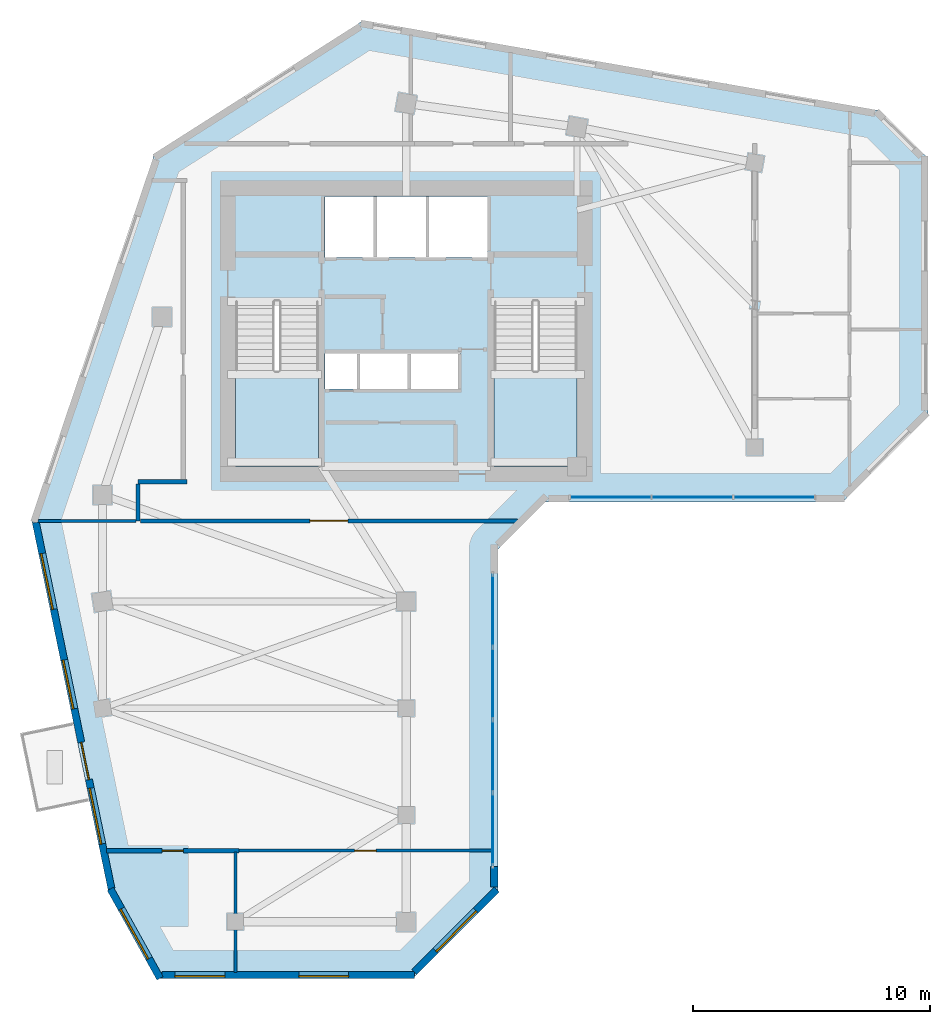
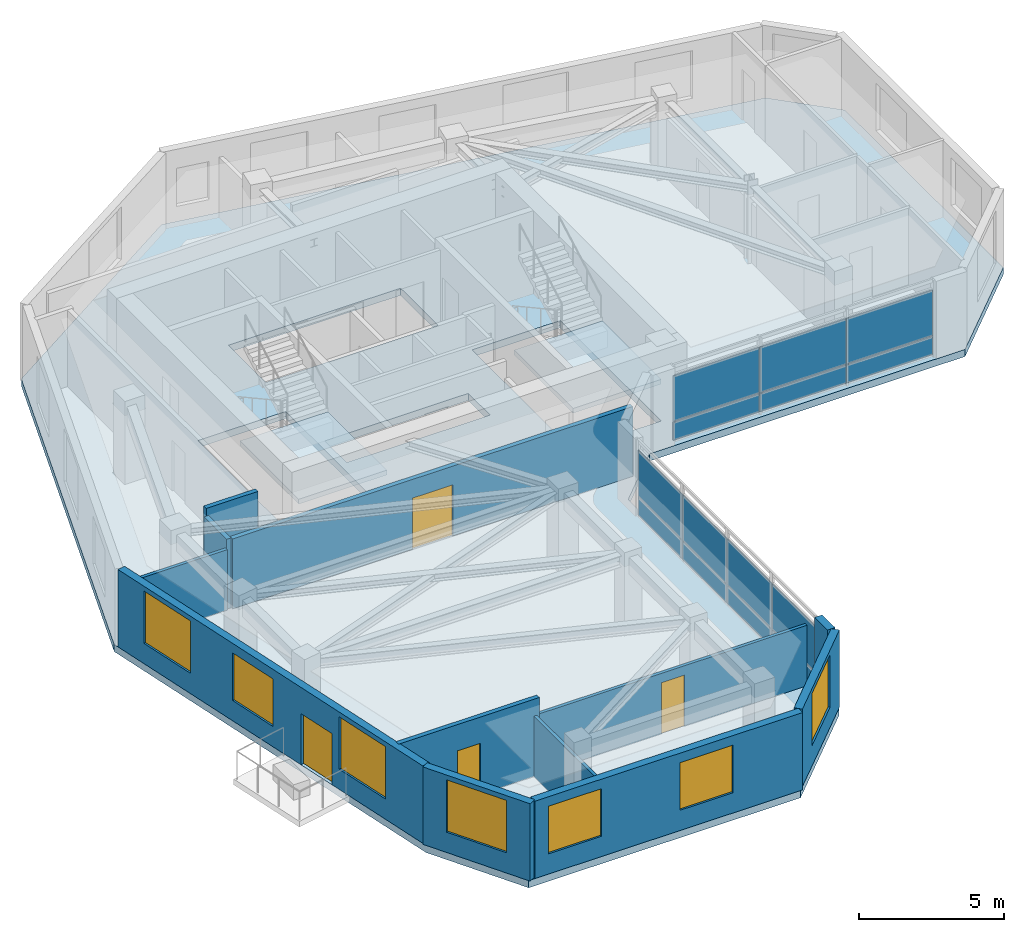
# One storey, part 3 of 9: 14 plates, 12 walls, 7 windows, 4 doors, 3 slabs, 11 openings, 4 elements without a shape of their own.
"""IFC4 building model written with IfcOpenShell, lengths in metres."""

from ifc_helpers import new_model, si_unit, direction, frame, frame_2d, origin, place, context, subcontext, project, spatial, polyline, rectangle, outline, extrude, source, transform, mapped, material, layer, layer_set, type_object, element, fill, aggregate, save


model = new_model("IFC4")

# Units and contexts
model_context = context("Model", 3, precision=1e-05, world=origin(), true_north=direction((0.0, 1.0)))
body_context = subcontext(model_context, "Body", "Model", "MODEL_VIEW")
ifc_project = project(units=[si_unit("LENGTHUNIT", "METRE"), si_unit("AREAUNIT", "SQUARE_METRE"), si_unit("VOLUMEUNIT", "CUBIC_METRE"), si_unit("PLANEANGLEUNIT", "RADIAN"), si_unit("MASSUNIT", "GRAM", prefix="KILO")], contexts=[model_context])

# Site, building, storey
site_placement = place(None, origin())
site = spatial("IfcSite", under=ifc_project, at=site_placement, CompositionType="ELEMENT")
building_placement = place(site_placement, origin())
building = spatial("IfcBuilding", under=site, at=building_placement, Name="Calvemar Wedge Station Tower", CompositionType="ELEMENT")
storey_placement = place(building_placement, frame((0.0, 0.0, 211.39990234375)))
storey = spatial("IfcBuildingStorey", under=building, at=storey_placement, Name="L53", CompositionType="ELEMENT", Elevation=211.39990234375)

# Curtain wall, plates
ifc_material_1 = material(Name="Anodised aluminium 6063-T6", Category="aluminium")
curtain_wall_type = type_object("IfcCurtainWallType", Name="CW3", PredefinedType="NOTDEFINED", material=ifc_material_1)
curtain_wall_1_placement = place(storey_placement, origin())
curtain_wall_1 = element("IfcCurtainWall", 1, at=curtain_wall_1_placement, inside=storey, type_object=curtain_wall_type, Name="Storey L53 CW3 Recessed Unitised Curtain Wall 4", PredefinedType="NOTDEFINED")
ifc_material_2 = material(Name="Low-E laminated insulated glass", Category="glass")
ifc_layer_1 = layer(ifc_material_2, 0.028076171875)
ifc_layer_set_1 = layer_set([ifc_layer_1], Name="Low-E laminated insulated glass")
plate_type_1 = type_object("IfcPlateType", Name="CW3-GLZ", PredefinedType="CURTAIN_PANEL", material=ifc_layer_set_1)
plate_1_placement = place(storey_placement, frame((27.4541015625, 17.380126953125, 0.8701171875), z_axis=(0.0, 0.0, 1.0), x_axis=(0.0, 1.0, 0.0)))
plate_1 = element("IfcPlate", 2, at=plate_1_placement, type_object=plate_type_1, Name="CW3 vision glass panel 1", PredefinedType="CURTAIN_PANEL", context=body_context, shape_type="SweptSolid", body=[
    extrude(rectangle(XDim=3.036865234375, YDim=0.028076171875, at=frame_2d((1.5185546875, 0.0))), origin(), (0.0, 0.0, 1.0), 1.909912109375),
])
plate_2_placement = place(storey_placement, frame((27.4541015625, 20.453125, 0.8701171875), z_axis=(0.0, 0.0, 1.0), x_axis=(0.0, 1.0, 0.0)))
plate_2 = element("IfcPlate", 3, at=plate_2_placement, type_object=plate_type_1, Name="CW3 vision glass panel 2", PredefinedType="CURTAIN_PANEL", context=body_context, shape_type="SweptSolid", body=[
    extrude(rectangle(XDim=3.036865234375, YDim=0.028076171875, at=frame_2d((1.5185546875, 0.0))), origin(), (0.0, 0.0, 1.0), 1.909912109375),
])
plate_3_placement = place(storey_placement, frame((27.4541015625, 23.526123046875, 0.8701171875), z_axis=(0.0, 0.0, 1.0), x_axis=(0.0, 1.0, 0.0)))
plate_3 = element("IfcPlate", 4, at=plate_3_placement, type_object=plate_type_1, Name="CW3 vision glass panel 3", PredefinedType="CURTAIN_PANEL", context=body_context, shape_type="SweptSolid", body=[
    extrude(rectangle(XDim=3.036865234375, YDim=0.028076171875, at=frame_2d((1.5185546875, 0.0))), origin(), (0.0, 0.0, 1.0), 1.909912109375),
])
plate_4_placement = place(storey_placement, frame((27.4541015625, 26.59912109375, 0.8701171875), z_axis=(0.0, 0.0, 1.0), x_axis=(0.0, 1.0, 0.0)))
plate_4 = element("IfcPlate", 5, at=plate_4_placement, type_object=plate_type_1, Name="CW3 vision glass panel 4", PredefinedType="CURTAIN_PANEL", context=body_context, shape_type="SweptSolid", body=[
    extrude(rectangle(XDim=3.036865234375, YDim=0.028076171875, at=frame_2d((1.5185546875, 0.0))), origin(), (0.0, 0.0, 1.0), 1.909912109375),
])

curtain_wall_2_placement = place(storey_placement, origin())
curtain_wall_2 = element("IfcCurtainWall", 6, at=curtain_wall_2_placement, inside=storey, type_object=curtain_wall_type, Name="Storey L53 CW3 Recessed Unitised Curtain Wall 6", PredefinedType="NOTDEFINED")
plate_5_placement = place(storey_placement, frame((30.719970703125, 32.902099609375, 0.8701171875), z_axis=(0.0, 0.0, 1.0), x_axis=(1.0, 0.0, 0.0)))
plate_5 = element("IfcPlate", 7, at=plate_5_placement, type_object=plate_type_1, Name="CW3 vision glass panel 1", PredefinedType="CURTAIN_PANEL", context=body_context, shape_type="SweptSolid", body=[
    extrude(rectangle(XDim=3.4091796875, YDim=0.028076171875, at=frame_2d((1.70458984375, 0.0))), origin(), (0.0, 0.0, 1.0), 1.909912109375),
])
plate_6_placement = place(storey_placement, frame((34.165283203125, 32.902099609375, 0.8701171875), z_axis=(0.0, 0.0, 1.0), x_axis=(1.0, 0.0, 0.0)))
plate_6 = element("IfcPlate", 8, at=plate_6_placement, type_object=plate_type_1, Name="CW3 vision glass panel 2", PredefinedType="CURTAIN_PANEL", context=body_context, shape_type="SweptSolid", body=[
    extrude(rectangle(XDim=3.409423828125, YDim=0.028076171875, at=frame_2d((1.70458984375, 0.0))), origin(), (0.0, 0.0, 1.0), 1.909912109375),
])
plate_7_placement = place(storey_placement, frame((37.610595703125, 32.902099609375, 0.8701171875), z_axis=(0.0, 0.0, 1.0), x_axis=(1.0, 0.0, 0.0)))
plate_7 = element("IfcPlate", 9, at=plate_7_placement, type_object=plate_type_1, Name="CW3 vision glass panel 3", PredefinedType="CURTAIN_PANEL", context=body_context, shape_type="SweptSolid", body=[
    extrude(rectangle(XDim=3.409423828125, YDim=0.028076171875, at=frame_2d((1.70458984375, 0.0))), origin(), (0.0, 0.0, 1.0), 1.909912109375),
])

# Plate
ifc_material_3 = material(Name="Oxidized bronze aluminium spandrel panel 5005-H24", Category="aluminium")
ifc_layer_2 = layer(ifc_material_3, 0.0400390625)
ifc_layer_set_2 = layer_set([ifc_layer_2], Name="Oxidized bronze aluminium spandrel panel 5005-H24")
plate_type_2 = type_object("IfcPlateType", Name="CW3-SPD", PredefinedType="SHEET", material=ifc_layer_set_2)
plate_8_placement = place(storey_placement, frame((27.4541015625, 17.380126953125, 0.080078125), z_axis=(0.0, 0.0, 1.0), x_axis=(0.0, 1.0, 0.0)))
plate_8 = element("IfcPlate", 10, at=plate_8_placement, type_object=plate_type_2, Name="CW3 bronze spandrel panel 1", PredefinedType="SHEET", context=body_context, shape_type="SweptSolid", body=[
    extrude(rectangle(XDim=3.036865234375, YDim=0.0400390625, at=frame_2d((1.5185546875, 0.0))), origin(), (0.0, 0.0, 1.0), 0.75),
])

plate_9_placement = place(storey_placement, frame((27.4541015625, 20.453125, 0.080078125), z_axis=(0.0, 0.0, 1.0), x_axis=(0.0, 1.0, 0.0)))
plate_9 = element("IfcPlate", 11, at=plate_9_placement, type_object=plate_type_2, Name="CW3 bronze spandrel panel 2", PredefinedType="SHEET", context=body_context, shape_type="SweptSolid", body=[
    extrude(rectangle(XDim=3.036865234375, YDim=0.0400390625, at=frame_2d((1.5185546875, 0.0))), origin(), (0.0, 0.0, 1.0), 0.75),
])

plate_10_placement = place(storey_placement, frame((27.4541015625, 23.526123046875, 0.080078125), z_axis=(0.0, 0.0, 1.0), x_axis=(0.0, 1.0, 0.0)))
plate_10 = element("IfcPlate", 12, at=plate_10_placement, type_object=plate_type_2, Name="CW3 bronze spandrel panel 3", PredefinedType="SHEET", context=body_context, shape_type="SweptSolid", body=[
    extrude(rectangle(XDim=3.036865234375, YDim=0.0400390625, at=frame_2d((1.5185546875, 0.0))), origin(), (0.0, 0.0, 1.0), 0.75),
])

plate_11_placement = place(storey_placement, frame((27.4541015625, 26.59912109375, 0.080078125), z_axis=(0.0, 0.0, 1.0), x_axis=(0.0, 1.0, 0.0)))
plate_11 = element("IfcPlate", 13, at=plate_11_placement, type_object=plate_type_2, Name="CW3 bronze spandrel panel 4", PredefinedType="SHEET", context=body_context, shape_type="SweptSolid", body=[
    extrude(rectangle(XDim=3.036865234375, YDim=0.0400390625, at=frame_2d((1.5185546875, 0.0))), origin(), (0.0, 0.0, 1.0), 0.75),
])

aggregate(curtain_wall_1, [plate_8, plate_1, plate_9, plate_2, plate_10, plate_3, plate_11, plate_4])

plate_12_placement = place(storey_placement, frame((30.719970703125, 32.902099609375, 0.080078125), z_axis=(0.0, 0.0, 1.0), x_axis=(1.0, 0.0, 0.0)))
plate_12 = element("IfcPlate", 14, at=plate_12_placement, type_object=plate_type_2, Name="CW3 bronze spandrel panel 1", PredefinedType="SHEET", context=body_context, shape_type="SweptSolid", body=[
    extrude(rectangle(XDim=3.4091796875, YDim=0.0400390625, at=frame_2d((1.70458984375, 0.0))), origin(), (0.0, 0.0, 1.0), 0.75),
])

plate_13_placement = place(storey_placement, frame((34.165283203125, 32.902099609375, 0.080078125), z_axis=(0.0, 0.0, 1.0), x_axis=(1.0, 0.0, 0.0)))
plate_13 = element("IfcPlate", 15, at=plate_13_placement, type_object=plate_type_2, Name="CW3 bronze spandrel panel 2", PredefinedType="SHEET", context=body_context, shape_type="SweptSolid", body=[
    extrude(rectangle(XDim=3.409423828125, YDim=0.0400390625, at=frame_2d((1.70458984375, 0.0))), origin(), (0.0, 0.0, 1.0), 0.75),
])

plate_14_placement = place(storey_placement, frame((37.610595703125, 32.902099609375, 0.080078125), z_axis=(0.0, 0.0, 1.0), x_axis=(1.0, 0.0, 0.0)))
plate_14 = element("IfcPlate", 16, at=plate_14_placement, type_object=plate_type_2, Name="CW3 bronze spandrel panel 3", PredefinedType="SHEET", context=body_context, shape_type="SweptSolid", body=[
    extrude(rectangle(XDim=3.409423828125, YDim=0.0400390625, at=frame_2d((1.70458984375, 0.0))), origin(), (0.0, 0.0, 1.0), 0.75),
])

aggregate(curtain_wall_2, [plate_12, plate_5, plate_13, plate_6, plate_14, plate_7])

# Slab
ifc_material_4 = material(Name="Concrete C50", Category="concrete")
ifc_layer_3 = layer(ifc_material_4, 0.300048828125)
ifc_layer_set_3 = layer_set([ifc_layer_3], Name="Concrete C50")
slab_type_1 = type_object("IfcSlabType", Name="SL-REF-300", PredefinedType="FLOOR", material=ifc_layer_set_3)
slab_1_placement = place(storey_placement, frame((0.0, 0.0, -0.2998046875)))
element("IfcSlab", 17, at=slab_1_placement, inside=storey, type_object=slab_type_1, Name="Storey L53 Structural Floor Slab", PredefinedType="FLOOR", context=body_context, shape_type="SweptSolid", body=[
    extrude(outline(polyline([(8.0, 32.0), (11.263916015625, 16.199951171875), (13.263916015625, 12.60009765625), (24.06396484375, 12.60009765625), (27.6640625, 16.199951171875), (27.6640625, 30.69189453125), (29.6640625, 32.69189453125), (42.199951171875, 32.69189453125), (45.800048828125, 36.2919921875), (45.800048828125, 47.19189453125), (43.800048828125, 49.19189453125), (22.0, 53.0), (13.199951171875, 47.39990234375), (8.0, 32.0)]), holes=[polyline([(20.10009765625, 34.199951171875), (20.10009765625, 41.14990234375), (16.60009765625, 41.14990234375), (16.60009765625, 34.199951171875), (20.10009765625, 34.199951171875)]), polyline([(27.5, 34.199951171875), (31.0, 34.199951171875), (31.0, 41.14990234375), (27.5, 41.14990234375), (27.5, 34.199951171875)]), polyline([(21.800048828125, 37.449951171875), (23.929931640625, 37.449951171875), (23.93994140625, 37.449951171875), (26.080078125, 37.449951171875), (26.080078125, 38.949951171875), (23.93994140625, 38.949951171875), (23.929931640625, 38.949951171875), (21.800048828125, 38.949951171875), (21.7900390625, 38.949951171875), (20.3798828125, 38.949951171875), (20.3798828125, 37.449951171875), (21.7900390625, 37.449951171875), (21.800048828125, 37.449951171875)]), polyline([(27.219970703125, 43.0), (27.219970703125, 45.580078125), (20.3798828125, 45.580078125), (20.3798828125, 43.0), (27.219970703125, 43.0)])]), origin(), (0.0, 0.0, 1.0), 0.2998046875),
])

# Stair, slab
ifc_material_5 = material(Name="Concrete C45", Category="concrete")
stair_type = type_object("IfcStairType", Name="ST-TYPE-3500", PredefinedType="HALF_TURN_STAIR", material=ifc_material_5)
stair_1_placement = place(storey_placement, origin())
stair_1 = element("IfcStair", 18, at=stair_1_placement, inside=storey, type_object=stair_type, Name="L53 Pressurized Core Exit Stair ST-C1", PredefinedType="HALF_TURN_STAIR")
ifc_layer_4 = layer(ifc_material_5, 0.199951171875)
ifc_layer_set_4 = layer_set([ifc_layer_4], Name="Concrete C45")
slab_type_2 = type_object("IfcSlabType", Name="SL-STAIR-LND-200", PredefinedType="LANDING", material=ifc_layer_set_4)
slab_2_placement = place(storey_placement, frame((0.0, 0.0, 1.550048828125)))
slab_2 = element("IfcSlab", 19, at=slab_2_placement, type_object=slab_type_2, Name="ST-C1 landing 1", PredefinedType="LANDING", context=body_context, shape_type="SweptSolid", body=[
    extrude(outline(polyline([(16.60009765625, 38.25), (16.60009765625, 34.199951171875), (20.10009765625, 34.199951171875), (20.10009765625, 38.25), (16.60009765625, 38.25)])), origin(), (0.0, 0.0, 1.0), 0.199951171875),
])
aggregate(stair_1, [slab_2])

stair_2_placement = place(storey_placement, origin())
stair_2 = element("IfcStair", 20, at=stair_2_placement, inside=storey, type_object=stair_type, Name="L53 Pressurized Core Exit Stair ST-C2", PredefinedType="HALF_TURN_STAIR")
slab_3_placement = place(storey_placement, frame((0.0, 0.0, 1.550048828125)))
slab_3 = element("IfcSlab", 21, at=slab_3_placement, type_object=slab_type_2, Name="ST-C2 landing 1", PredefinedType="LANDING", context=body_context, shape_type="SweptSolid", body=[
    extrude(outline(polyline([(27.5, 38.25), (27.5, 34.199951171875), (31.0, 34.199951171875), (31.0, 38.25), (27.5, 38.25)])), origin(), (0.0, 0.0, 1.0), 0.199951171875),
])
aggregate(stair_2, [slab_3])

# Walls
ifc_material_6 = material(Name="Double-stud fire-rated corridor partition")
ifc_layer_5 = layer(ifc_material_6, 0.179931640625)
ifc_layer_set_5 = layer_set([ifc_layer_5], Name="Double-stud fire-rated corridor partition")
wall_type_1 = type_object("IfcWallType", Name="W-CORR-180", PredefinedType="PARTITIONING", material=ifc_layer_set_5)
wall_1_placement = place(storey_placement, frame((12.5, 33.550048828125, 0.0), z_axis=(0.0, 0.0, 1.0), x_axis=(1.0, 0.0, 0.0)))
element("IfcWall", 22, at=wall_1_placement, inside=storey, type_object=wall_type_1, Name="Storey L53 Interior Partition WL-L53-006", PredefinedType="PARTITIONING", context=body_context, shape_type="SweptSolid", body=[
    extrude(rectangle(XDim=2.06005859375, YDim=0.179931640625, at=frame_2d((1.030029296875, 0.0))), origin(), (0.0, 0.0, 1.0), 3.25),
])
wall_2_placement = place(storey_placement, frame((12.5, 31.89990234375, 0.0), z_axis=(0.0, 0.0, 1.0), x_axis=(0.0, 1.0, 0.0)))
element("IfcWall", 23, at=wall_2_placement, inside=storey, type_object=wall_type_1, Name="Storey L53 Interior Partition WL-L53-007", PredefinedType="PARTITIONING", context=body_context, shape_type="SweptSolid", body=[
    extrude(rectangle(XDim=1.55615234375, YDim=0.179931640625, at=frame_2d((0.778076171875, 0.0))), origin(), (0.0, 0.0, 1.0), 2.93408203125),
])

# Wall, opening, door
wall_3_placement = place(storey_placement, frame((28.497314453125, 31.89990234375, 0.0), z_axis=(0.0, 0.0, 1.0), x_axis=(-1.0, 0.0, 0.0)))
wall_3 = element("IfcWall", 24, at=wall_3_placement, inside=storey, type_object=wall_type_1, Name="Storey L53 Interior Partition WL-L53-008", PredefinedType="PARTITIONING", context=body_context, shape_type="SweptSolid", body=[
    extrude(rectangle(XDim=15.9033203125, YDim=0.179931640625, at=frame_2d((7.95166015625, 0.0))), origin(), (0.0, 0.0, 1.0), 2.93408203125),
])
shared_shape_1 = source(origin(), body_context, "Body", "SweptSolid", [
    extrude(rectangle(XDim=1.60009765625, YDim=2.14990234375, at=frame_2d((0.800048828125, 1.074951171875))), frame((0.0, 0.10009765625, 0.0), z_axis=(0.0, -1.0, 0.0), x_axis=(1.0, 0.0, 0.0)), (0.0, 0.0, 1.0), 0.199951171875),
])
opening_1_placement = place(wall_3_placement, frame((7.151611328125, 0.0, 0.0)))
opening_1 = element("IfcOpeningElement", 25, at=opening_1_placement, cuts=wall_3, Name="Opening DD-160", PredefinedType="OPENING", context=body_context, shape_type="MappedRepresentation", body=[
    mapped(shared_shape_1, transform((0.0, 0.0, 0.0), scale=1.0)),
])
ifc_material_7 = material(Name="Double-leaf fire-rated lobby door EI 60")
door_type_1 = type_object("IfcDoorType", Name="DR-DBL-1600", OperationType="DOUBLE_DOOR_SINGLE_SWING", PredefinedType="DOOR", material=ifc_material_7)
shared_shape_2 = source(origin(), body_context, "Body", "SweptSolid", [
    extrude(rectangle(XDim=1.60009765625, YDim=2.14990234375, at=frame_2d((0.800048828125, 1.074951171875))), frame((0.0, 0.02490234375, 0.0), z_axis=(0.0, -1.0, 0.0), x_axis=(1.0, 0.0, 0.0)), (0.0, 0.0, 1.0), 0.050048828125),
])
door_1_placement = place(opening_1_placement, origin())
door_1 = element("IfcDoor", 26, at=door_1_placement, inside=storey, type_object=door_type_1, Name="L53 Resident Banquet Dining Hall Door", OperationType="SINGLE_SWING_LEFT", OverallHeight=2.14990234375, OverallWidth=1.60009765625, PredefinedType="DOOR", context=body_context, shape_type="MappedRepresentation", body=[
    mapped(shared_shape_2, transform((0.0, 0.0, 0.0), scale=1.0)),
])
fill(opening_1, door_1)

wall_4_placement = place(storey_placement, frame((16.760009765625, 18.0, 0.0), z_axis=(0.0, 0.0, 1.0), x_axis=(-1.0, 0.0, 0.0)))
wall_4 = element("IfcWall", 27, at=wall_4_placement, inside=storey, type_object=wall_type_1, Name="Storey L53 Interior Partition WL-L53-029", PredefinedType="PARTITIONING", context=body_context, shape_type="SweptSolid", body=[
    extrude(rectangle(XDim=5.597412109375, YDim=0.179931640625, at=frame_2d((2.798828125, 0.0))), origin(), (0.0, 0.0, 1.0), 3.25),
])
shared_shape_3 = source(origin(), body_context, "Body", "SweptSolid", [
    extrude(rectangle(XDim=0.89990234375, YDim=2.14990234375, at=frame_2d((0.449951171875, 1.074951171875))), frame((0.0, 0.10009765625, 0.0), z_axis=(0.0, -1.0, 0.0), x_axis=(1.0, 0.0, 0.0)), (0.0, 0.0, 1.0), 0.199951171875),
])
opening_2_placement = place(wall_4_placement, frame((2.3486328125, 0.0, 0.0)))
opening_2 = element("IfcOpeningElement", 28, at=opening_2_placement, cuts=wall_4, Name="Opening FD-60", PredefinedType="OPENING", context=body_context, shape_type="MappedRepresentation", body=[
    mapped(shared_shape_3, transform((0.0, 0.0, 0.0), scale=1.0)),
])
ifc_material_8 = material(Name="Fire-rated acoustic timber-core entrance door EI 60", Category="wood")
door_type_2 = type_object("IfcDoorType", Name="DR-FD60-900", OperationType="NOTDEFINED", PredefinedType="DOOR", material=ifc_material_8)
shared_shape_4 = source(origin(), body_context, "Body", "SweptSolid", [
    extrude(rectangle(XDim=0.89990234375, YDim=2.14990234375, at=frame_2d((0.449951171875, 1.074951171875))), frame((0.0, 0.02490234375, 0.0), z_axis=(0.0, -1.0, 0.0), x_axis=(1.0, 0.0, 0.0)), (0.0, 0.0, 1.0), 0.050048828125),
])
door_2_placement = place(opening_2_placement, origin())
door_2 = element("IfcDoor", 29, at=door_2_placement, inside=storey, type_object=door_type_2, Name="L53 Communal Banquet Kitchen Door", OperationType="SINGLE_SWING_RIGHT", OverallHeight=2.14990234375, OverallWidth=0.89990234375, PredefinedType="DOOR", context=body_context, shape_type="MappedRepresentation", body=[
    mapped(shared_shape_4, transform((0.0, 0.0, 0.0), scale=1.0)),
])
fill(opening_2, door_2)

# Wall, opening, window
ifc_material_9 = material(Name="Precast concrete C45", Category="concrete")
ifc_layer_6 = layer(ifc_material_9, 0.300048828125)
ifc_layer_set_6 = layer_set([ifc_layer_6], Name="Precast concrete C45")
wall_type_2 = type_object("IfcWallType", Name="W-EXT-GFRC-300", PredefinedType="SOLIDWALL", material=ifc_layer_set_6)
wall_5_placement = place(storey_placement, frame((11.33349609375, 16.3837890625, 0.0), z_axis=(0.0, 0.0, 1.0), x_axis=(0.485633305139, -0.874162623852, 0.0)))
wall_5 = element("IfcWall", 30, at=wall_5_placement, inside=storey, type_object=wall_type_2, Name="Storey L53 Bronze GFRC Exterior Wall 1", PredefinedType="SOLIDWALL", context=body_context, shape_type="SweptSolid", body=[
    extrude(rectangle(XDim=4.306884765625, YDim=0.300048828125, at=frame_2d((2.1533203125, 0.0))), origin(), (0.0, 0.0, 1.0), 3.25),
])
shared_shape_5 = source(origin(), body_context, "Body", "SweptSolid", [
    extrude(rectangle(XDim=2.39990234375, YDim=2.199951171875, at=frame_2d((1.199951171875, 1.10009765625))), frame((0.0, 0.16015625, 0.0), z_axis=(0.0, -1.0, 0.0), x_axis=(1.0, 0.0, 0.0)), (0.0, 0.0, 1.0), 0.320068359375),
])
opening_3_placement = place(wall_5_placement, frame((0.9541015625, 0.0, 0.85009765625)))
opening_3 = element("IfcOpeningElement", 31, at=opening_3_placement, cuts=wall_5, Name="Opening W1", PredefinedType="OPENING", context=body_context, shape_type="MappedRepresentation", body=[
    mapped(shared_shape_5, transform((0.0, 0.0, 0.0), scale=1.0)),
])
window_type_1 = type_object("IfcWindowType", Name="WIN-EXT-1", PartitioningType="SINGLE_PANEL", PredefinedType="WINDOW", material=ifc_material_2)
shared_shape_6 = source(origin(), body_context, "Body", "SweptSolid", [
    extrude(rectangle(XDim=2.39990234375, YDim=2.199951171875, at=frame_2d((1.199951171875, 1.10009765625))), frame((0.0, -0.014892578125, 0.0), z_axis=(0.0, -1.0, 0.0), x_axis=(1.0, 0.0, 0.0)), (0.0, 0.0, 1.0), 0.06005859375),
])
window_1_placement = place(opening_3_placement, origin())
window_1 = element("IfcWindow", 32, at=window_1_placement, inside=storey, type_object=window_type_1, Name="Storey L53 Recessed Window 1.1", OverallHeight=2.199951171875, OverallWidth=2.39990234375, PartitioningType="SINGLE_PANEL", PredefinedType="WINDOW", context=body_context, shape_type="MappedRepresentation", body=[
    mapped(shared_shape_6, transform((0.0, 0.0, 0.0), scale=1.0)),
])
fill(opening_3, window_1)

# Wall, openings, windows
wall_6_placement = place(storey_placement, frame((13.510009765625, 12.75, 0.0), z_axis=(0.0, 0.0, 1.0), x_axis=(1.0, 0.0, 0.0)))
wall_6 = element("IfcWall", 33, at=wall_6_placement, inside=storey, type_object=wall_type_2, Name="Storey L53 Bronze GFRC Exterior Wall 2", PredefinedType="SOLIDWALL", context=body_context, shape_type="SweptSolid", body=[
    extrude(rectangle(XDim=10.641845703125, YDim=0.300048828125, at=frame_2d((5.32080078125, 0.0))), origin(), (0.0, 0.0, 1.0), 3.25),
])
shared_shape_7 = source(origin(), body_context, "Body", "SweptSolid", [
    extrude(rectangle(XDim=2.10009765625, YDim=2.0, at=frame_2d((1.050048828125, 1.0))), frame((0.0, 0.16015625, 0.0), z_axis=(0.0, -1.0, 0.0), x_axis=(1.0, 0.0, 0.0)), (0.0, 0.0, 1.0), 0.320068359375),
])
opening_4_placement = place(wall_6_placement, frame((0.544921875, 0.0, 0.85009765625)))
opening_4 = element("IfcOpeningElement", 34, at=opening_4_placement, cuts=wall_6, Name="Opening W4", PredefinedType="OPENING", context=body_context, shape_type="MappedRepresentation", body=[
    mapped(shared_shape_7, transform((0.0, 0.0, 0.0), scale=1.0)),
])
opening_5_placement = place(wall_6_placement, frame((5.76611328125, 0.0, 0.85009765625)))
opening_5 = element("IfcOpeningElement", 35, at=opening_5_placement, cuts=wall_6, Name="Opening W4", PredefinedType="OPENING", context=body_context, shape_type="MappedRepresentation", body=[
    mapped(shared_shape_7, transform((0.0, 0.0, 0.0), scale=1.0)),
])
window_type_2 = type_object("IfcWindowType", Name="WIN-EXT-4", PartitioningType="SINGLE_PANEL", PredefinedType="WINDOW", material=ifc_material_2)
shared_shape_8 = source(origin(), body_context, "Body", "SweptSolid", [
    extrude(rectangle(XDim=2.10009765625, YDim=2.0, at=frame_2d((1.050048828125, 1.0))), frame((0.0, -0.014892578125, 0.0), z_axis=(0.0, -1.0, 0.0), x_axis=(1.0, 0.0, 0.0)), (0.0, 0.0, 1.0), 0.06005859375),
])
window_2_placement = place(opening_4_placement, origin())
window_2 = element("IfcWindow", 36, at=window_2_placement, inside=storey, type_object=window_type_2, Name="Storey L53 Recessed Window 2.1", OverallHeight=2.0, OverallWidth=2.10009765625, PartitioningType="SINGLE_PANEL", PredefinedType="WINDOW", context=body_context, shape_type="MappedRepresentation", body=[
    mapped(shared_shape_8, transform((0.0, 0.0, 0.0), scale=1.0)),
])
fill(opening_4, window_2)
window_3_placement = place(opening_5_placement, origin())
window_3 = element("IfcWindow", 37, at=window_3_placement, inside=storey, type_object=window_type_2, Name="Storey L53 Recessed Window 2.2", OverallHeight=2.0, OverallWidth=2.10009765625, PartitioningType="SINGLE_PANEL", PredefinedType="WINDOW", context=body_context, shape_type="MappedRepresentation", body=[
    mapped(shared_shape_8, transform((0.0, 0.0, 0.0), scale=1.0)),
])
fill(opening_5, window_3)

# Wall, opening, window
wall_7_placement = place(storey_placement, frame((24.139892578125, 12.887939453125, 0.0), z_axis=(0.0, 0.0, 1.0), x_axis=(0.707106781187, 0.707106781187, 0.0)))
wall_7 = element("IfcWall", 38, at=wall_7_placement, inside=storey, type_object=wall_type_2, Name="Storey L53 Bronze GFRC Exterior Wall 3", PredefinedType="SOLIDWALL", context=body_context, shape_type="SweptSolid", body=[
    extrude(rectangle(XDim=4.921875, YDim=0.300048828125, at=frame_2d((2.4609375, 0.0))), origin(), (0.0, 0.0, 1.0), 3.25),
])
opening_6_placement = place(wall_7_placement, frame((1.260986328125, 0.0, 0.85009765625)))
opening_6 = element("IfcOpeningElement", 39, at=opening_6_placement, cuts=wall_7, Name="Opening W1", PredefinedType="OPENING", context=body_context, shape_type="MappedRepresentation", body=[
    mapped(shared_shape_5, transform((0.0, 0.0, 0.0), scale=1.0)),
])
window_4_placement = place(opening_6_placement, origin())
window_4 = element("IfcWindow", 40, at=window_4_placement, inside=storey, type_object=window_type_1, Name="Storey L53 Recessed Window 3.1", OverallHeight=2.199951171875, OverallWidth=2.39990234375, PartitioningType="SINGLE_PANEL", PredefinedType="WINDOW", context=body_context, shape_type="MappedRepresentation", body=[
    mapped(shared_shape_6, transform((0.0, 0.0, 0.0), scale=1.0)),
])
fill(opening_6, window_4)

# Wall
wall_8_placement = place(storey_placement, frame((27.513916015625, 16.457275390625, 0.0), z_axis=(0.0, 0.0, 1.0), x_axis=(0.0, 1.0, 0.0)))
element("IfcWall", 41, at=wall_8_placement, inside=storey, type_object=wall_type_2, Name="Storey L53 Bronze GFRC Corner Pier 4A", PredefinedType="SOLIDWALL", context=body_context, shape_type="SweptSolid", body=[
    extrude(rectangle(XDim=0.88232421875, YDim=0.300048828125, at=frame_2d((0.441162109375, 0.0))), origin(), (0.0, 0.0, 1.0), 3.25),
])

# Wall, openings, windows, door
wall_9_placement = place(storey_placement, frame((8.1875, 31.833984375, 0.0), z_axis=(0.0, 0.0, 1.0), x_axis=(0.202303475707, -0.979322880217, 0.0)))
wall_9 = element("IfcWall", 42, at=wall_9_placement, inside=storey, type_object=wall_type_2, Name="Storey L53 Bronze GFRC Exterior Wall 13", PredefinedType="SOLIDWALL", context=body_context, shape_type="SweptSolid", body=[
    extrude(rectangle(XDim=15.765625, YDim=0.300048828125, at=frame_2d((7.8828125, 0.0))), origin(), (0.0, 0.0, 1.0), 3.25),
])
shared_shape_9 = source(origin(), body_context, "Body", "SweptSolid", [
    extrude(rectangle(XDim=1.60009765625, YDim=2.14990234375, at=frame_2d((0.800048828125, 1.074951171875))), frame((0.0, 0.16015625, 0.0), z_axis=(0.0, -1.0, 0.0), x_axis=(1.0, 0.0, 0.0)), (0.0, 0.0, 1.0), 0.320068359375),
])
opening_7_placement = place(wall_9_placement, frame((9.466064453125, 0.0, 0.0)))
opening_7 = element("IfcOpeningElement", 43, at=opening_7_placement, cuts=wall_9, Name="Opening DT1", PredefinedType="OPENING", context=body_context, shape_type="MappedRepresentation", body=[
    mapped(shared_shape_9, transform((0.0, 0.0, 0.0), scale=1.0)),
])
opening_8_placement = place(wall_9_placement, frame((1.3369140625, 0.0, 0.85009765625)))
opening_8 = element("IfcOpeningElement", 44, at=opening_8_placement, cuts=wall_9, Name="Opening W1", PredefinedType="OPENING", context=body_context, shape_type="MappedRepresentation", body=[
    mapped(shared_shape_5, transform((0.0, 0.0, 0.0), scale=1.0)),
])
opening_9_placement = place(wall_9_placement, frame((5.919921875, 0.0, 0.85009765625)))
opening_9 = element("IfcOpeningElement", 45, at=opening_9_placement, cuts=wall_9, Name="Opening W4", PredefinedType="OPENING", context=body_context, shape_type="MappedRepresentation", body=[
    mapped(shared_shape_7, transform((0.0, 0.0, 0.0), scale=1.0)),
])
opening_10_placement = place(wall_9_placement, frame((11.43798828125, 0.0, 0.85009765625)))
opening_10 = element("IfcOpeningElement", 46, at=opening_10_placement, cuts=wall_9, Name="Opening W1", PredefinedType="OPENING", context=body_context, shape_type="MappedRepresentation", body=[
    mapped(shared_shape_5, transform((0.0, 0.0, 0.0), scale=1.0)),
])
window_5_placement = place(opening_9_placement, origin())
window_5 = element("IfcWindow", 47, at=window_5_placement, inside=storey, type_object=window_type_2, Name="Storey L53 Recessed Window 13.2", OverallHeight=2.0, OverallWidth=2.10009765625, PartitioningType="SINGLE_PANEL", PredefinedType="WINDOW", context=body_context, shape_type="MappedRepresentation", body=[
    mapped(shared_shape_8, transform((0.0, 0.0, 0.0), scale=1.0)),
])
fill(opening_9, window_5)
window_6_placement = place(opening_8_placement, origin())
window_6 = element("IfcWindow", 48, at=window_6_placement, inside=storey, type_object=window_type_1, Name="Storey L53 Recessed Window 13.1", OverallHeight=2.199951171875, OverallWidth=2.39990234375, PartitioningType="SINGLE_PANEL", PredefinedType="WINDOW", context=body_context, shape_type="MappedRepresentation", body=[
    mapped(shared_shape_6, transform((0.0, 0.0, 0.0), scale=1.0)),
])
fill(opening_8, window_6)
window_7_placement = place(opening_10_placement, origin())
window_7 = element("IfcWindow", 49, at=window_7_placement, inside=storey, type_object=window_type_1, Name="Storey L53 Recessed Window 13.3", OverallHeight=2.199951171875, OverallWidth=2.39990234375, PartitioningType="SINGLE_PANEL", PredefinedType="WINDOW", context=body_context, shape_type="MappedRepresentation", body=[
    mapped(shared_shape_6, transform((0.0, 0.0, 0.0), scale=1.0)),
])
fill(opening_10, window_7)
door_type_3 = type_object("IfcDoorType", Name="DR-TERR-1600", OperationType="DOUBLE_DOOR_SLIDING", PredefinedType="DOOR", material=ifc_material_1)
shared_shape_10 = source(origin(), body_context, "Body", "SweptSolid", [
    extrude(rectangle(XDim=1.60009765625, YDim=2.14990234375, at=frame_2d((0.800048828125, 1.074951171875))), frame((0.0, 0.02490234375, 0.0), z_axis=(0.0, -1.0, 0.0), x_axis=(1.0, 0.0, 0.0)), (0.0, 0.0, 1.0), 0.050048828125),
])
door_3_placement = place(opening_7_placement, origin())
door_3 = element("IfcDoor", 50, at=door_3_placement, inside=storey, type_object=door_type_3, Name="Storey L53 Spiral Terrace Door", OperationType="DOUBLE_DOOR_SLIDING", OverallHeight=2.14990234375, OverallWidth=1.60009765625, PredefinedType="DOOR", context=body_context, shape_type="MappedRepresentation", body=[
    mapped(shared_shape_10, transform((0.0, 0.0, 0.0), scale=1.0)),
])
fill(opening_7, door_3)

# Wall
ifc_material_10 = material(Name="Insulated acoustic gypsum stud partition")
ifc_layer_7 = layer(ifc_material_10, 0.125)
ifc_layer_set_7 = layer_set([ifc_layer_7], Name="Insulated acoustic gypsum stud partition")
wall_type_3 = type_object("IfcWallType", Name="W-PART-125", PredefinedType="PARTITIONING", material=ifc_layer_set_7)
wall_10_placement = place(storey_placement, frame((12.406005859375, 31.89990234375, 0.0), z_axis=(0.0, 0.0, 1.0), x_axis=(-1.0, 0.0, 0.0)))
element("IfcWall", 51, at=wall_10_placement, inside=storey, type_object=wall_type_3, Name="Storey L53 Interior Partition WL-L53-014", PredefinedType="PARTITIONING", context=body_context, shape_type="SweptSolid", body=[
    extrude(rectangle(XDim=4.11474609375, YDim=0.125, at=frame_2d((2.057373046875, 0.0))), origin(), (0.0, 0.0, 1.0), 2.5419921875),
])

# Wall, opening, door
wall_11_placement = place(storey_placement, frame((27.39892578125, 18.0, 0.0), z_axis=(0.0, 0.0, 1.0), x_axis=(-1.0, 0.0, 0.0)))
wall_11 = element("IfcWall", 52, at=wall_11_placement, inside=storey, type_object=wall_type_3, Name="Storey L53 Interior Partition WL-L53-030", PredefinedType="PARTITIONING", context=body_context, shape_type="SweptSolid", body=[
    extrude(rectangle(XDim=10.636962890625, YDim=0.125, at=frame_2d((5.318359375, 0.0))), origin(), (0.0, 0.0, 1.0), 2.5419921875),
])
shared_shape_11 = source(origin(), body_context, "Body", "SweptSolid", [
    extrude(rectangle(XDim=0.89990234375, YDim=2.14990234375, at=frame_2d((0.449951171875, 1.074951171875))), frame((0.0, 0.072509765625, 0.0), z_axis=(0.0, -1.0, 0.0), x_axis=(1.0, 0.0, 0.0)), (0.0, 0.0, 1.0), 0.14501953125),
])
opening_11_placement = place(wall_11_placement, frame((4.868408203125, 0.0, 0.0)))
opening_11 = element("IfcOpeningElement", 53, at=opening_11_placement, cuts=wall_11, Name="Opening D-01", PredefinedType="OPENING", context=body_context, shape_type="MappedRepresentation", body=[
    mapped(shared_shape_11, transform((0.0, 0.0, 0.0), scale=1.0)),
])
ifc_material_11 = material(Name="Architectural hardwood acoustic swing door", Category="wood")
door_type_4 = type_object("IfcDoorType", Name="DR-INT-900", OperationType="NOTDEFINED", PredefinedType="DOOR", material=ifc_material_11)
shared_shape_12 = source(origin(), body_context, "Body", "SweptSolid", [
    extrude(rectangle(XDim=0.89990234375, YDim=2.14990234375, at=frame_2d((0.449951171875, 1.074951171875))), frame((0.0, 0.02490234375, 0.0), z_axis=(0.0, -1.0, 0.0), x_axis=(1.0, 0.0, 0.0)), (0.0, 0.0, 1.0), 0.050048828125),
])
door_4_placement = place(opening_11_placement, origin())
door_4 = element("IfcDoor", 54, at=door_4_placement, inside=storey, type_object=door_type_4, Name="L53 Resident Screening Salon Door", OperationType="SINGLE_SWING_LEFT", OverallHeight=2.14990234375, OverallWidth=0.89990234375, PredefinedType="DOOR", context=body_context, shape_type="MappedRepresentation", body=[
    mapped(shared_shape_12, transform((0.0, 0.0, 0.0), scale=1.0)),
])
fill(opening_11, door_4)

# Wall
wall_12_placement = place(storey_placement, frame((16.60009765625, 17.93359375, 0.0), z_axis=(0.0, 0.0, 1.0), x_axis=(0.0, -1.0, 0.0)))
element("IfcWall", 55, at=wall_12_placement, inside=storey, type_object=wall_type_3, Name="Storey L53 Interior Partition WL-L53-031", PredefinedType="PARTITIONING", context=body_context, shape_type="SweptSolid", body=[
    extrude(rectangle(XDim=5.068603515625, YDim=0.125, at=frame_2d((2.5341796875, 0.0))), origin(), (0.0, 0.0, 1.0), 2.5419921875),
])

save(model, "model.ifc")
